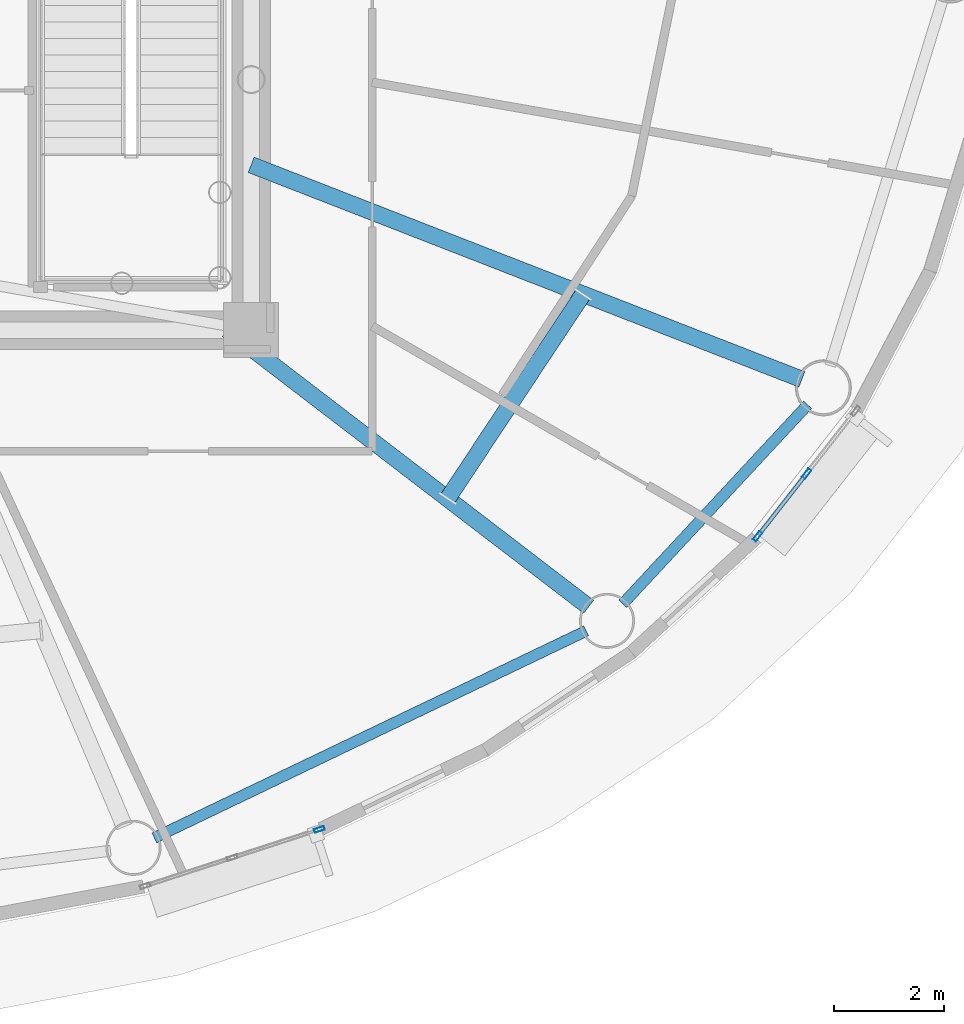
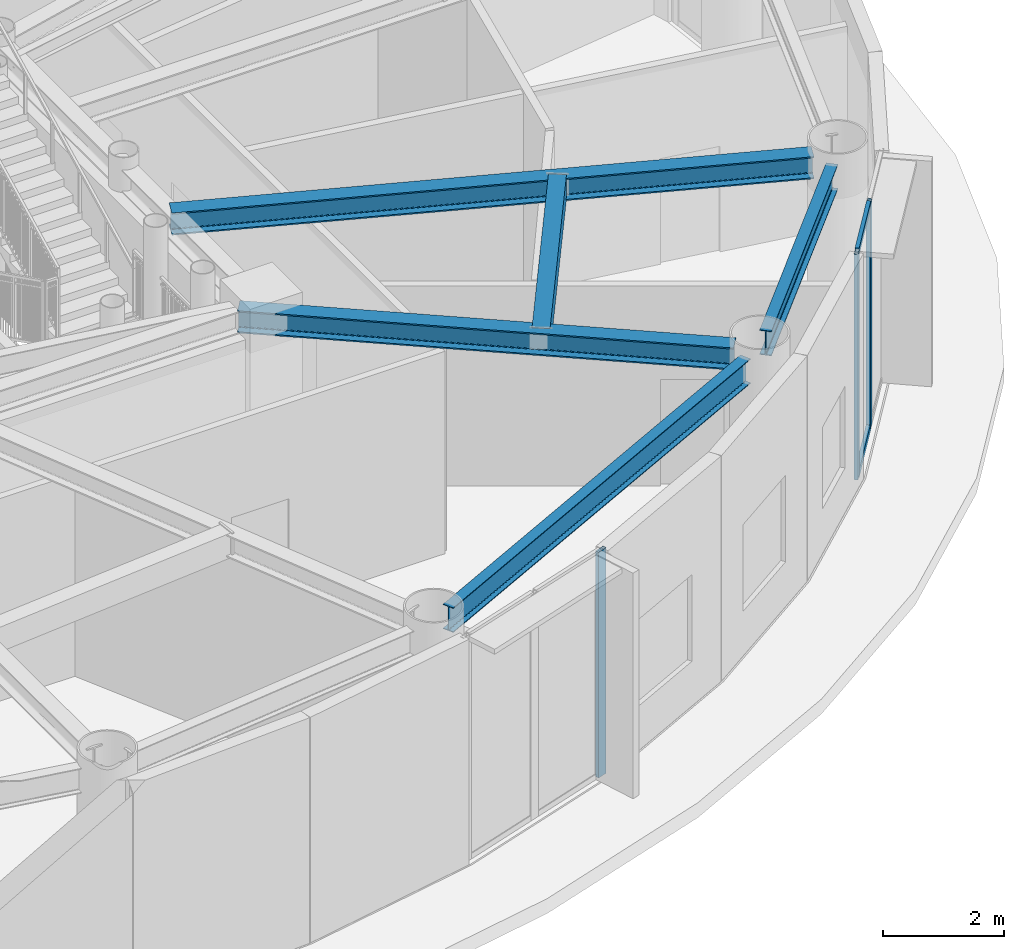
# One storey, part 14 of 32: 5 beams, 5 members, 2 elements without a shape of their own.
"""IFC4 building model written with IfcOpenShell, lengths in metres."""

from ifc_helpers import new_model, si_unit, direction, frame, origin, origin_2d, place, context, subcontext, project, spatial, hollow_rectangle, i_section, extrude, source, transform, mapped, material, layer, layer_set, material_profile, profile_set, type_object, element, aggregate, save


model = new_model("IFC4")

# Units and contexts
model_context = context("Model", 3, precision=1e-05, world=origin(), true_north=direction((0.0, 1.0)))
body_context = subcontext(model_context, "Body", "Model", "MODEL_VIEW")
ifc_project = project(units=[si_unit("LENGTHUNIT", "METRE"), si_unit("AREAUNIT", "SQUARE_METRE"), si_unit("VOLUMEUNIT", "CUBIC_METRE"), si_unit("PLANEANGLEUNIT", "RADIAN"), si_unit("MASSUNIT", "GRAM", prefix="KILO")], contexts=[model_context])

# Site, building, storey
site_placement = place(None, origin())
site = spatial("IfcSite", under=ifc_project, at=site_placement, CompositionType="ELEMENT")
building_placement = place(site_placement, origin())
building = spatial("IfcBuilding", under=site, at=building_placement, Name="Linh Dai School and Residence Tower", CompositionType="ELEMENT")
storey_placement = place(building_placement, frame((0.0, 0.0, 268.199951171875)))
storey = spatial("IfcBuildingStorey", under=building, at=storey_placement, Name="L66", CompositionType="ELEMENT", Elevation=268.199951171875)

# Beams
ifc_material_1 = material(Name="Structural Steel S355JR", Category="steel")
ifc_material_profile_1 = material_profile(ifc_material_1, hollow_rectangle(XDim=0.300048828125, YDim=0.5, WallThickness=0.01611328125, at=origin_2d()), Name="RHS 500x300x16")
ifc_profile_set_1 = profile_set([ifc_material_profile_1], Name="Structural Steel S355JR")
beam_type_1 = type_object("IfcBeamType", Name="BM-BX5", PredefinedType="BEAM", material=ifc_profile_set_1)
beam_1_placement = place(storey_placement, frame((48.42138671875, 17.48974609375, 4.300048828125), z_axis=(0.552138599569, 0.833752341445, 0.0), x_axis=(-0.833752341445, 0.552138599569, 0.0)))
element("IfcBeam", 1, at=beam_1_placement, inside=storey, type_object=beam_type_1, Name="L66 Secondary Circumferential Floor Beam 08", PredefinedType="BEAM", context=body_context, shape_type="SweptSolid", body=[
    extrude(hollow_rectangle(XDim=0.300048828125, YDim=0.5, WallThickness=0.01611328125, at=origin_2d()), origin(), (0.0, 0.0, 1.0), 4.447265625),
])
ifc_material_profile_2 = material_profile(ifc_material_1, i_section(OverallWidth=0.199951171875, OverallDepth=0.5, WebThickness=0.01025390625, FlangeThickness=0.01611328125, FilletRadius=0.02099609375, at=origin_2d()), Name="IPE 500")
ifc_profile_set_2 = profile_set([ifc_material_profile_2], Name="Structural Steel S355JR")
beam_type_2 = type_object("IfcBeamType", Name="BM-RB50", PredefinedType="BEAM", material=ifc_profile_set_2)
beam_2_placement = place(storey_placement, frame((43.091064453125, 11.32373046875, 4.300048828125), z_axis=(0.901728757887, 0.4323022637, 0.0), x_axis=(-0.4323022637, 0.901728757887, 0.0)))
element("IfcBeam", 2, at=beam_2_placement, inside=storey, type_object=beam_type_2, Name="L66 Perimeter Elliptical Ring Beam 14", PredefinedType="BEAM", context=body_context, shape_type="SweptSolid", body=[
    extrude(i_section(OverallWidth=0.199951171875, OverallDepth=0.5, WebThickness=0.01025390625, FlangeThickness=0.01611328125, FilletRadius=0.02099609375, at=origin_2d()), origin(), (0.0, 0.0, 1.0), 8.700439453125),
])
beam_3_placement = place(storey_placement, frame((51.600830078125, 15.574462890625, 4.300048828125), z_axis=(0.680415064526, 0.7328269509, 0.0), x_axis=(-0.7328269509, 0.680415064526, 0.0)))
element("IfcBeam", 3, at=beam_3_placement, inside=storey, type_object=beam_type_2, Name="L66 Perimeter Elliptical Ring Beam 15", PredefinedType="BEAM", context=body_context, shape_type="SweptSolid", body=[
    extrude(i_section(OverallWidth=0.199951171875, OverallDepth=0.5, WebThickness=0.01025390625, FlangeThickness=0.01611328125, FilletRadius=0.02099609375, at=origin_2d()), origin(), (0.0, 0.0, 1.0), 4.9375),
])
ifc_material_profile_3 = material_profile(ifc_material_1, i_section(OverallWidth=0.300048828125, OverallDepth=0.449951171875, WebThickness=0.013916015625, FlangeThickness=0.02587890625, FilletRadius=0.027099609375, at=origin_2d()), Name="HEB 450")
ifc_profile_set_3 = profile_set([ifc_material_profile_3], Name="Structural Steel S355JR")
beam_type_3 = type_object("IfcBeamType", Name="BM-RG45", PredefinedType="BEAM", material=ifc_profile_set_3)
beam_4_placement = place(storey_placement, frame((44.4189453125, 20.550048828125, 4.324951171875), z_axis=(0.793802616583, -0.608175472956, 0.0), x_axis=(0.608175472956, 0.793802616583, 0.0)))
element("IfcBeam", 4, at=beam_4_placement, inside=storey, type_object=beam_type_3, Name="L66 Primary Radial Floor Girder 15", PredefinedType="BEAM", context=body_context, shape_type="SweptSolid", body=[
    extrude(i_section(OverallWidth=0.300048828125, OverallDepth=0.449951171875, WebThickness=0.013916015625, FlangeThickness=0.02587890625, FilletRadius=0.027099609375, at=origin_2d()), origin(), (0.0, 0.0, 1.0), 8.267578125),
])
beam_5_placement = place(storey_placement, frame((44.85009765625, 23.551513671875, 4.324951171875), z_axis=(0.931760809838, -0.363072710693, 0.0), x_axis=(0.363072710693, 0.931760809838, 0.0)))
element("IfcBeam", 5, at=beam_5_placement, inside=storey, type_object=beam_type_3, Name="L66 Primary Radial Floor Girder 16", PredefinedType="BEAM", context=body_context, shape_type="SweptSolid", body=[
    extrude(i_section(OverallWidth=0.300048828125, OverallDepth=0.449951171875, WebThickness=0.013916015625, FlangeThickness=0.02587890625, FilletRadius=0.027099609375, at=origin_2d()), origin(), (0.0, 0.0, 1.0), 10.7373046875),
])

# Curtain wall, member
ifc_material_2 = material(Name="Aluminium Anodised Curtain Wall", Category="aluminium")
ifc_layer = layer(ifc_material_2, 0.18994140625)
ifc_layer_set = layer_set([ifc_layer], Name="Aluminium Anodised Curtain Wall")
curtain_wall_type = type_object("IfcCurtainWallType", Name="CW-SYS-5", PredefinedType="USERDEFINED", material=ifc_layer_set)
curtain_wall_1_placement = place(storey_placement, origin())
curtain_wall_1 = element("IfcCurtainWall", 6, at=curtain_wall_1_placement, inside=storey, type_object=curtain_wall_type, Name="L66 CW5 Curtain Wall 33", ObjectType="UNITISED CURTAIN WALL", PredefinedType="USERDEFINED")
ifc_material_3 = material(Name="Aluminium Alloy 6063-T6", Category="aluminium")
ifc_material_profile_4 = material_profile(ifc_material_3, hollow_rectangle(XDim=0.070068359375, YDim=0.18994140625, WallThickness=0.00390625, at=origin_2d()), Name="RHS 190x70x4")
ifc_profile_set_4 = profile_set([ifc_material_profile_4], Name="Aluminium Alloy 6063-T6")
member_type_1 = type_object("IfcMemberType", Name="CW-SYS-5-MUL", PredefinedType="MULLION", material=ifc_profile_set_4)
shared_shape_1 = source(origin(), body_context, "Body", "SweptSolid", [
    extrude(hollow_rectangle(XDim=0.070068359375, YDim=0.18994140625, WallThickness=0.00390625, at=origin_2d()), origin(), (0.0, 0.0, 1.0), 4.550048828125),
])
member_1_placement = place(storey_placement, frame((46.08984375, 11.47705078125, 0.0), z_axis=(0.0, 0.0, 1.0), x_axis=(0.308518805176, -0.951218243545, 0.0)))
member_1 = element("IfcMember", 7, at=member_1_placement, type_object=member_type_1, Name="CW5 mullion 1", PredefinedType="MULLION", context=body_context, shape_type="MappedRepresentation", body=[
    mapped(shared_shape_1, transform((0.0, 0.0, 0.0), x_axis=(1.0, 0.0, 0.0), y_axis=(0.0, 1.0, 0.0), z_axis=(0.0, 0.0, 1.0), scale=1.0)),
])
aggregate(curtain_wall_1, [member_1])

# Curtain wall, members
curtain_wall_2_placement = place(storey_placement, origin())
curtain_wall_2 = element("IfcCurtainWall", 8, at=curtain_wall_2_placement, inside=storey, type_object=curtain_wall_type, Name="L66 CW5 Curtain Wall 37", ObjectType="UNITISED CURTAIN WALL", PredefinedType="USERDEFINED")
member_2_placement = place(storey_placement, frame((54.942138671875, 17.940185546875, 0.0), z_axis=(0.0, 0.0, 1.0), x_axis=(0.78750300393, -0.616310813471, 0.0)))
member_2 = element("IfcMember", 9, at=member_2_placement, type_object=member_type_1, Name="CW5 mullion 2", PredefinedType="MULLION", context=body_context, shape_type="MappedRepresentation", body=[
    mapped(shared_shape_1, transform((0.0, 0.0, 0.0), x_axis=(1.0, 0.0, 0.0), y_axis=(0.0, 1.0, 0.0), z_axis=(0.0, 0.0, 1.0), scale=1.0)),
])
member_3_placement = place(storey_placement, frame((54.052001953125, 16.802734375, 0.0), z_axis=(0.0, 0.0, 1.0), x_axis=(0.78750300393, -0.616310813471, 0.0)))
member_3 = element("IfcMember", 10, at=member_3_placement, type_object=member_type_1, Name="CW5 mullion 3", PredefinedType="MULLION", context=body_context, shape_type="MappedRepresentation", body=[
    mapped(shared_shape_1, transform((0.0, 0.0, 0.0), x_axis=(1.0, 0.0, 0.0), y_axis=(0.0, 1.0, 0.0), z_axis=(0.0, 0.0, 1.0), scale=1.0)),
])
ifc_material_profile_5 = material_profile(ifc_material_3, hollow_rectangle(XDim=0.070068359375, YDim=0.14990234375, WallThickness=0.00390625, at=origin_2d()), Name="RHS 150x70x4")
ifc_profile_set_5 = profile_set([ifc_material_profile_5], Name="Aluminium Alloy 6063-T6")
member_type_2 = type_object("IfcMemberType", Name="CW-SYS-5-TRN", PredefinedType="USERDEFINED", material=ifc_profile_set_5)
shared_shape_2 = source(origin(), body_context, "Body", "SweptSolid", [
    extrude(hollow_rectangle(XDim=0.070068359375, YDim=0.14990234375, WallThickness=0.00390625, at=origin_2d()), origin(), (0.0, 0.0, 1.0), 1.374267578125),
])
member_4_placement = place(storey_placement, frame((54.92041015625, 17.91259765625, 0.03515625), z_axis=(-0.616274730069, -0.78753124197, 0.0), x_axis=(0.78753124197, -0.616274730069, 0.0)))
member_4 = element("IfcMember", 11, at=member_4_placement, type_object=member_type_2, Name="CW5 transom 2.1", ObjectType="TRANSOM", PredefinedType="USERDEFINED", context=body_context, shape_type="MappedRepresentation", body=[
    mapped(shared_shape_2, transform((0.0, 0.0, 0.0), x_axis=(1.0, 0.0, 0.0), y_axis=(0.0, 1.0, 0.0), z_axis=(0.0, 0.0, 1.0), scale=1.0)),
])
member_5_placement = place(storey_placement, frame((54.92041015625, 17.91259765625, 4.51513671875), z_axis=(-0.616274730069, -0.78753124197, 0.0), x_axis=(0.78753124197, -0.616274730069, 0.0)))
member_5 = element("IfcMember", 12, at=member_5_placement, type_object=member_type_2, Name="CW5 transom 2.2", ObjectType="TRANSOM", PredefinedType="USERDEFINED", context=body_context, shape_type="MappedRepresentation", body=[
    mapped(shared_shape_2, transform((0.0, 0.0, 0.0), x_axis=(1.0, 0.0, 0.0), y_axis=(0.0, 1.0, 0.0), z_axis=(0.0, 0.0, 1.0), scale=1.0)),
])
aggregate(curtain_wall_2, [member_2, member_3, member_4, member_5])

save(model, "model.ifc")
